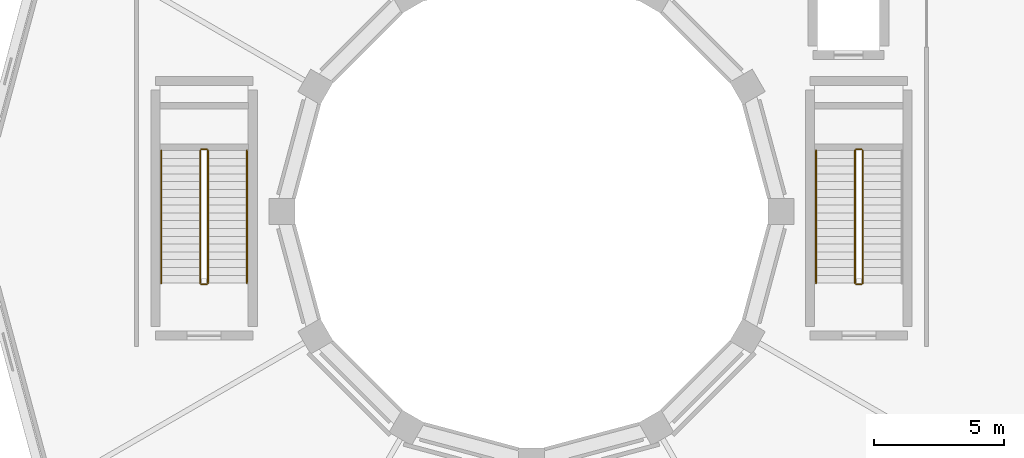
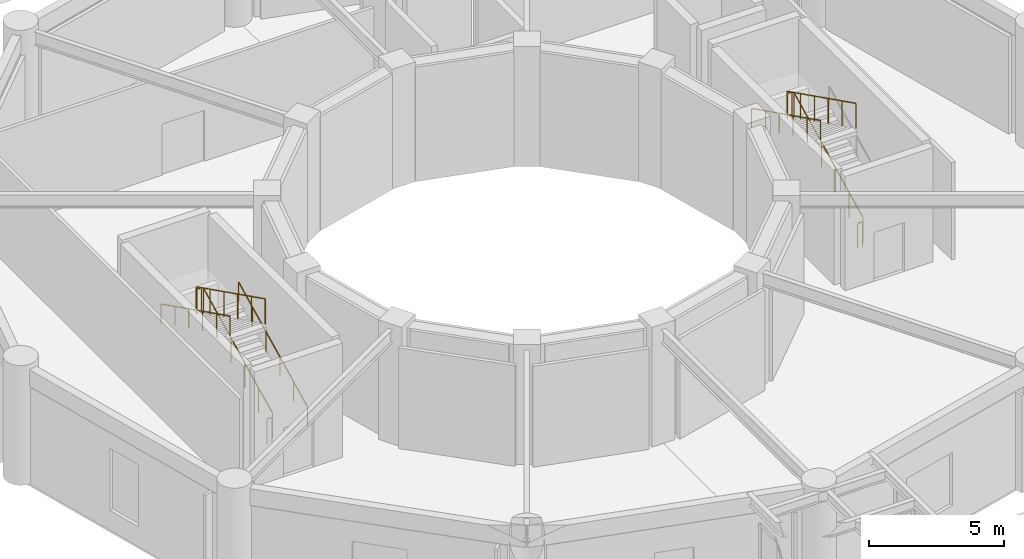
# One storey, part 148 of 155: 11 railings.
"""IFC4 building model written with IfcOpenShell, lengths in metres."""

from ifc_helpers import new_model, si_unit, direction, frame, origin, origin_2d, place, context, subcontext, project, spatial, circle, extrude, material, type_object, element, save


model = new_model("IFC4")

# Units and contexts
model_context = context("Model", 3, precision=1e-05, world=origin(), true_north=direction((0.0, 1.0)))
body_context = subcontext(model_context, "Body", "Model", "MODEL_VIEW")
ifc_project = project(units=[si_unit("LENGTHUNIT", "METRE"), si_unit("AREAUNIT", "SQUARE_METRE"), si_unit("VOLUMEUNIT", "CUBIC_METRE"), si_unit("PLANEANGLEUNIT", "RADIAN"), si_unit("MASSUNIT", "GRAM", prefix="KILO")], contexts=[model_context])

# Site, building, storey
site_placement = place(None, origin())
site = spatial("IfcSite", under=ifc_project, at=site_placement, CompositionType="ELEMENT")
building_placement = place(site_placement, origin())
building = spatial("IfcBuilding", under=site, at=building_placement, Name="Haizhuo Lancet Aquarium", CompositionType="ELEMENT")
storey_placement = place(building_placement, frame((0.0, 0.0, 10.800048828125)))
storey = spatial("IfcBuildingStorey", under=building, at=storey_placement, Name="L02", CompositionType="ELEMENT", Elevation=10.800048828125)

# Railings
ifc_material = material(Name="Steel S355", Category="steel")
railing_type_1 = type_object("IfcRailingType", Name="RL-GRD-1150", PredefinedType="GUARDRAIL", material=ifc_material)
railing_1_placement = place(storey_placement, frame((-12.449951171875, -2.75, 0.14990234375)))
element("IfcRailing", 1, at=railing_1_placement, inside=storey, type_object=railing_type_1, Name="L02 ST-01 stair guard 1", PredefinedType="GUARDRAIL", context=body_context, shape_type="SweptSolid", body=[
    extrude(circle(Radius=0.02392578125, at=origin_2d()), frame((0.0, 0.02685546875, 1.13916015625), z_axis=(0.0, 0.894427191, 0.4472135955), x_axis=(-1.0, 0.0, 0.0)), (0.0, 0.0, 1.0), 5.64208984375),
    extrude(circle(Radius=0.02099609375, at=origin_2d()), origin(), (0.0, 0.0, 1.0), 1.097900390625),
    extrude(circle(Radius=0.02099609375, at=origin_2d()), frame((0.0, 1.02001953125, 0.510009765625)), (0.0, 0.0, 1.0), 1.097900390625),
    extrude(circle(Radius=0.02099609375, at=origin_2d()), frame((0.0, 2.0400390625, 1.02001953125)), (0.0, 0.0, 1.0), 1.097900390625),
    extrude(circle(Radius=0.02099609375, at=origin_2d()), frame((0.0, 3.06005859375, 1.530029296875)), (0.0, 0.0, 1.0), 1.097900390625),
    extrude(circle(Radius=0.02099609375, at=origin_2d()), frame((0.0, 4.080078125, 2.0400390625)), (0.0, 0.0, 1.0), 1.097900390625),
    extrude(circle(Radius=0.02099609375, at=origin_2d()), frame((0.0, 5.10009765625, 2.550048828125)), (0.0, 0.0, 1.0), 1.097900390625),
])
railing_2_placement = place(storey_placement, frame((-12.5, 2.39990234375, 2.699951171875)))
element("IfcRailing", 2, at=railing_2_placement, inside=storey, type_object=railing_type_1, Name="L02 ST-01 stair guard 2", PredefinedType="GUARDRAIL", context=body_context, shape_type="SweptSolid", body=[
    extrude(circle(Radius=0.02392578125, at=origin_2d()), frame((-0.030029296875, 0.0, 1.1259765625), z_axis=(-1.0, 0.0, 0.0), x_axis=(0.0, -1.0, 0.0)), (0.0, 0.0, 1.0), 0.139892578125),
    extrude(circle(Radius=0.02099609375, at=origin_2d()), origin(), (0.0, 0.0, 1.0), 1.097900390625),
    extrude(circle(Radius=0.02099609375, at=origin_2d()), frame((-0.199951171875, 0.0, 0.0)), (0.0, 0.0, 1.0), 1.097900390625),
])
railing_3_placement = place(storey_placement, frame((-12.75, 2.35009765625, 2.849853515625)))
element("IfcRailing", 3, at=railing_3_placement, inside=storey, type_object=railing_type_1, Name="L02 ST-01 stair guard 3", PredefinedType="GUARDRAIL", context=body_context, shape_type="SweptSolid", body=[
    extrude(circle(Radius=0.02392578125, at=origin_2d()), frame((0.0, -0.02685546875, 1.13916015625), z_axis=(0.0, -0.894427191, 0.4472135955), x_axis=(1.0, 0.0, 0.0)), (0.0, 0.0, 1.0), 5.64208984375),
    extrude(circle(Radius=0.02099609375, at=origin_2d()), origin(), (0.0, 0.0, 1.0), 1.097900390625),
    extrude(circle(Radius=0.02099609375, at=origin_2d()), frame((0.0, -1.02001953125, 0.510009765625)), (0.0, 0.0, 1.0), 1.097900390625),
    extrude(circle(Radius=0.02099609375, at=origin_2d()), frame((0.0, -2.0400390625, 1.02001953125)), (0.0, 0.0, 1.0), 1.097900390625),
    extrude(circle(Radius=0.02099609375, at=origin_2d()), frame((0.0, -3.06005859375, 1.530029296875)), (0.0, 0.0, 1.0), 1.097900390625),
    extrude(circle(Radius=0.02099609375, at=origin_2d()), frame((0.0, -4.080078125, 2.0400390625)), (0.0, 0.0, 1.0), 1.097900390625),
    extrude(circle(Radius=0.02099609375, at=origin_2d()), frame((0.0, -5.10009765625, 2.550048828125)), (0.0, 0.0, 1.0), 1.097900390625),
])
railing_4_placement = place(storey_placement, frame((-12.5, -2.800048828125, 0.0)))
element("IfcRailing", 4, at=railing_4_placement, inside=storey, type_object=railing_type_1, Name="L02 ST-01 stair guard 4", PredefinedType="GUARDRAIL", context=body_context, shape_type="SweptSolid", body=[
    extrude(circle(Radius=0.02392578125, at=origin_2d()), frame((-0.030029296875, 0.0, 1.1259765625), z_axis=(-1.0, 0.0, 0.0), x_axis=(0.0, -1.0, 0.0)), (0.0, 0.0, 1.0), 0.139892578125),
    extrude(circle(Radius=0.02099609375, at=origin_2d()), origin(), (0.0, 0.0, 1.0), 1.097900390625),
    extrude(circle(Radius=0.02099609375, at=origin_2d()), frame((-0.199951171875, 0.0, 0.0)), (0.0, 0.0, 1.0), 1.097900390625),
])
railing_5_placement = place(storey_placement, frame((12.75, -2.75, 0.14990234375)))
element("IfcRailing", 5, at=railing_5_placement, inside=storey, type_object=railing_type_1, Name="L02 ST-02 stair guard 1", PredefinedType="GUARDRAIL", context=body_context, shape_type="SweptSolid", body=[
    extrude(circle(Radius=0.02392578125, at=origin_2d()), frame((0.0, 0.02685546875, 1.13916015625), z_axis=(0.0, 0.894427191, 0.4472135955), x_axis=(-1.0, 0.0, 0.0)), (0.0, 0.0, 1.0), 5.64208984375),
    extrude(circle(Radius=0.02099609375, at=origin_2d()), origin(), (0.0, 0.0, 1.0), 1.097900390625),
    extrude(circle(Radius=0.02099609375, at=origin_2d()), frame((0.0, 1.02001953125, 0.510009765625)), (0.0, 0.0, 1.0), 1.097900390625),
    extrude(circle(Radius=0.02099609375, at=origin_2d()), frame((0.0, 2.0400390625, 1.02001953125)), (0.0, 0.0, 1.0), 1.097900390625),
    extrude(circle(Radius=0.02099609375, at=origin_2d()), frame((0.0, 3.06005859375, 1.530029296875)), (0.0, 0.0, 1.0), 1.097900390625),
    extrude(circle(Radius=0.02099609375, at=origin_2d()), frame((0.0, 4.080078125, 2.0400390625)), (0.0, 0.0, 1.0), 1.097900390625),
    extrude(circle(Radius=0.02099609375, at=origin_2d()), frame((0.0, 5.10009765625, 2.550048828125)), (0.0, 0.0, 1.0), 1.097900390625),
])
railing_6_placement = place(storey_placement, frame((12.699951171875, 2.39990234375, 2.699951171875)))
element("IfcRailing", 6, at=railing_6_placement, inside=storey, type_object=railing_type_1, Name="L02 ST-02 stair guard 2", PredefinedType="GUARDRAIL", context=body_context, shape_type="SweptSolid", body=[
    extrude(circle(Radius=0.02392578125, at=origin_2d()), frame((-0.030029296875, 0.0, 1.1259765625), z_axis=(-1.0, 0.0, 0.0), x_axis=(0.0, -1.0, 0.0)), (0.0, 0.0, 1.0), 0.139892578125),
    extrude(circle(Radius=0.02099609375, at=origin_2d()), origin(), (0.0, 0.0, 1.0), 1.097900390625),
    extrude(circle(Radius=0.02099609375, at=origin_2d()), frame((-0.199951171875, 0.0, 0.0)), (0.0, 0.0, 1.0), 1.097900390625),
])
railing_7_placement = place(storey_placement, frame((12.449951171875, 2.35009765625, 2.849853515625)))
element("IfcRailing", 7, at=railing_7_placement, inside=storey, type_object=railing_type_1, Name="L02 ST-02 stair guard 3", PredefinedType="GUARDRAIL", context=body_context, shape_type="SweptSolid", body=[
    extrude(circle(Radius=0.02392578125, at=origin_2d()), frame((0.0, -0.02685546875, 1.13916015625), z_axis=(0.0, -0.894427191, 0.4472135955), x_axis=(1.0, 0.0, 0.0)), (0.0, 0.0, 1.0), 5.64208984375),
    extrude(circle(Radius=0.02099609375, at=origin_2d()), origin(), (0.0, 0.0, 1.0), 1.097900390625),
    extrude(circle(Radius=0.02099609375, at=origin_2d()), frame((0.0, -1.02001953125, 0.510009765625)), (0.0, 0.0, 1.0), 1.097900390625),
    extrude(circle(Radius=0.02099609375, at=origin_2d()), frame((0.0, -2.0400390625, 1.02001953125)), (0.0, 0.0, 1.0), 1.097900390625),
    extrude(circle(Radius=0.02099609375, at=origin_2d()), frame((0.0, -3.06005859375, 1.530029296875)), (0.0, 0.0, 1.0), 1.097900390625),
    extrude(circle(Radius=0.02099609375, at=origin_2d()), frame((0.0, -4.080078125, 2.0400390625)), (0.0, 0.0, 1.0), 1.097900390625),
    extrude(circle(Radius=0.02099609375, at=origin_2d()), frame((0.0, -5.10009765625, 2.550048828125)), (0.0, 0.0, 1.0), 1.097900390625),
])
railing_8_placement = place(storey_placement, frame((12.699951171875, -2.800048828125, 0.0)))
element("IfcRailing", 8, at=railing_8_placement, inside=storey, type_object=railing_type_1, Name="L02 ST-02 stair guard 4", PredefinedType="GUARDRAIL", context=body_context, shape_type="SweptSolid", body=[
    extrude(circle(Radius=0.02392578125, at=origin_2d()), frame((-0.030029296875, 0.0, 1.1259765625), z_axis=(-1.0, 0.0, 0.0), x_axis=(0.0, -1.0, 0.0)), (0.0, 0.0, 1.0), 0.139892578125),
    extrude(circle(Radius=0.02099609375, at=origin_2d()), origin(), (0.0, 0.0, 1.0), 1.097900390625),
    extrude(circle(Radius=0.02099609375, at=origin_2d()), frame((-0.199951171875, 0.0, 0.0)), (0.0, 0.0, 1.0), 1.097900390625),
])
railing_type_2 = type_object("IfcRailingType", Name="RL-HDR-900", PredefinedType="HANDRAIL", material=ifc_material)
railing_9_placement = place(storey_placement, frame((-10.949951171875, -2.75, 0.14990234375)))
element("IfcRailing", 9, at=railing_9_placement, inside=storey, type_object=railing_type_2, Name="L02 ST-01 pitch handrail 1", PredefinedType="HANDRAIL", context=body_context, shape_type="SweptSolid", body=[
    extrude(circle(Radius=0.02392578125, at=origin_2d()), frame((0.0, 0.02685546875, 0.88916015625), z_axis=(0.0, 0.894427191, 0.4472135955), x_axis=(-1.0, 0.0, 0.0)), (0.0, 0.0, 1.0), 5.64208984375),
    extrude(circle(Radius=0.02099609375, at=origin_2d()), origin(), (0.0, 0.0, 1.0), 0.847900390625),
    extrude(circle(Radius=0.02099609375, at=origin_2d()), frame((0.0, 1.02001953125, 0.510009765625)), (0.0, 0.0, 1.0), 0.847900390625),
    extrude(circle(Radius=0.02099609375, at=origin_2d()), frame((0.0, 2.0400390625, 1.02001953125)), (0.0, 0.0, 1.0), 0.847900390625),
    extrude(circle(Radius=0.02099609375, at=origin_2d()), frame((0.0, 3.06005859375, 1.530029296875)), (0.0, 0.0, 1.0), 0.847900390625),
    extrude(circle(Radius=0.02099609375, at=origin_2d()), frame((0.0, 4.080078125, 2.0400390625)), (0.0, 0.0, 1.0), 0.847900390625),
    extrude(circle(Radius=0.02099609375, at=origin_2d()), frame((0.0, 5.10009765625, 2.550048828125)), (0.0, 0.0, 1.0), 0.847900390625),
])
for number, where, name in (
    (10, (-14.25, 2.35009765625, 2.849853515625), "L02 ST-01 pitch handrail 2"),
    (11, (10.949951171875, 2.35009765625, 2.849853515625), "L02 ST-02 pitch handrail 2"),
):
    element("IfcRailing", number, at=place(storey_placement, frame(where)), inside=storey, type_object=railing_type_2, Name=name, PredefinedType="HANDRAIL", context=body_context, shape_type="SweptSolid", body=[
        extrude(circle(Radius=0.02392578125, at=origin_2d()), frame((0.0, -0.02685546875, 0.88916015625), z_axis=(0.0, -0.894427191, 0.4472135955), x_axis=(1.0, 0.0, 0.0)), (0.0, 0.0, 1.0), 5.64208984375),
        extrude(circle(Radius=0.02099609375, at=origin_2d()), origin(), (0.0, 0.0, 1.0), 0.847900390625),
        extrude(circle(Radius=0.02099609375, at=origin_2d()), frame((0.0, -1.02001953125, 0.510009765625)), (0.0, 0.0, 1.0), 0.847900390625),
        extrude(circle(Radius=0.02099609375, at=origin_2d()), frame((0.0, -2.0400390625, 1.02001953125)), (0.0, 0.0, 1.0), 0.847900390625),
        extrude(circle(Radius=0.02099609375, at=origin_2d()), frame((0.0, -3.06005859375, 1.530029296875)), (0.0, 0.0, 1.0), 0.847900390625),
        extrude(circle(Radius=0.02099609375, at=origin_2d()), frame((0.0, -4.080078125, 2.0400390625)), (0.0, 0.0, 1.0), 0.847900390625),
        extrude(circle(Radius=0.02099609375, at=origin_2d()), frame((0.0, -5.10009765625, 2.550048828125)), (0.0, 0.0, 1.0), 0.847900390625),
    ])

save(model, "model.ifc")
